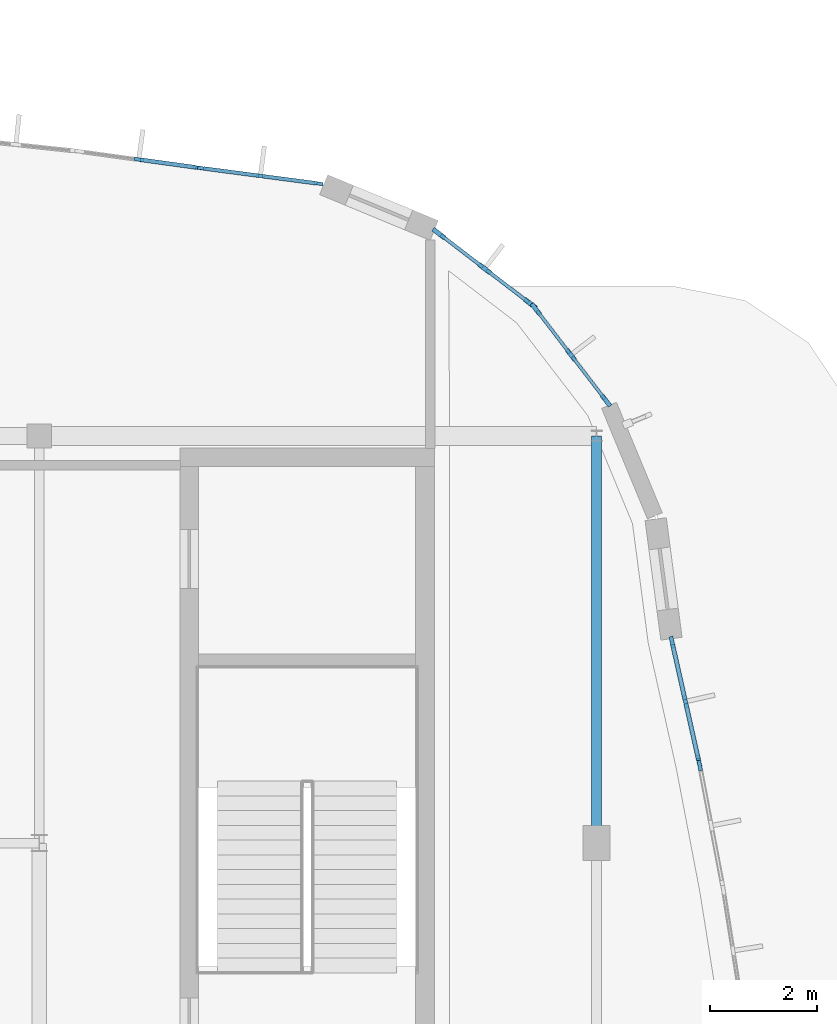
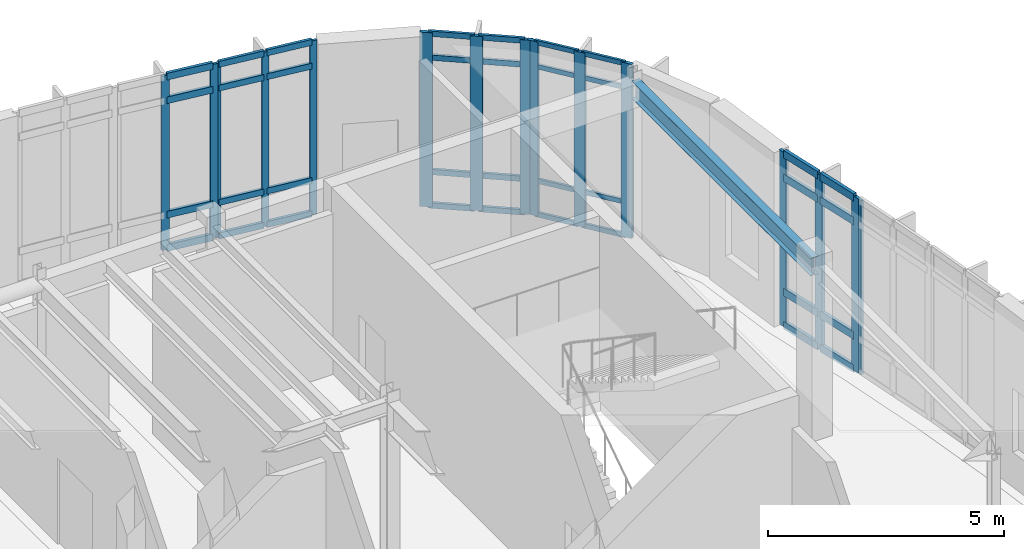
# One storey, part 64 of 120: 51 members, 1 beam, 6 elements without a shape of their own.
"""IFC4 building model written with IfcOpenShell, lengths in metres."""

from ifc_helpers import new_model, si_unit, direction, frame, origin, origin_2d, place, context, subcontext, project, spatial, rectangle, i_section, extrude, material, material_profile, profile_set, type_object, element, aggregate, save


model = new_model("IFC4")

# Units and contexts
model_context = context("Model", 3, precision=1e-05, world=origin(), true_north=direction((0.0, 1.0)))
body_context = subcontext(model_context, "Body", "Model", "MODEL_VIEW")
ifc_project = project(units=[si_unit("LENGTHUNIT", "METRE"), si_unit("AREAUNIT", "SQUARE_METRE"), si_unit("VOLUMEUNIT", "CUBIC_METRE"), si_unit("PLANEANGLEUNIT", "RADIAN"), si_unit("MASSUNIT", "GRAM", prefix="KILO")], contexts=[model_context])

# Site, building, storey
site_placement = place(None, origin())
site = spatial("IfcSite", under=ifc_project, at=site_placement, CompositionType="ELEMENT")
building_placement = place(site_placement, origin())
building = spatial("IfcBuilding", under=site, at=building_placement, Name="Corveleigh Park Community Centre", CompositionType="ELEMENT")
storey_placement = place(building_placement, origin())
storey = spatial("IfcBuildingStorey", under=building, at=storey_placement, Name="L00", CompositionType="ELEMENT", Elevation=0.0)

# Beam
ifc_material_1 = material(Name="Steel S355", Category="steel")
ifc_material_profile_1 = material_profile(ifc_material_1, i_section(OverallWidth=0.1904296875, OverallDepth=0.45703125, WebThickness=0.009033203125, FlangeThickness=0.014404296875, at=origin_2d()), Name="UKB 457x191x74", Category="steel")
ifc_profile_set_1 = profile_set([ifc_material_profile_1], Name="Steel S355")
beam_type = type_object("IfcBeamType", Name="BM-STL-UKB457x74", PredefinedType="BEAM", material=ifc_profile_set_1)
beam_placement = place(storey_placement, frame((168.39990234375, 96.60498046875, 4.298583984375), z_axis=(0.0, 1.0, 0.0), x_axis=(-1.0, 0.0, 0.0)))
element("IfcBeam", 1, at=beam_placement, inside=storey, type_object=beam_type, Name="V4 Girder Y", PredefinedType="BEAM", context=body_context, shape_type="SweptSolid", body=[
    extrude(i_section(OverallWidth=0.1904296875, OverallDepth=0.45703125, WebThickness=0.009033203125, FlangeThickness=0.014404296875, at=origin_2d()), origin(), (0.0, 0.0, 1.0), 7.590087890625),
])

# Curtain wall, members
ifc_material_2 = material(Name="Anodised aluminium 6063-T6", Category="aluminium")
curtain_wall_type = type_object("IfcCurtainWallType", Name="CW-SYS-V4-L00", PredefinedType="NOTDEFINED", material=ifc_material_2)
curtain_wall_1_placement = place(storey_placement, origin())
curtain_wall_1 = element("IfcCurtainWall", 2, at=curtain_wall_1_placement, inside=storey, type_object=curtain_wall_type, Name="V4 L00 Curtain Wall 133", PredefinedType="NOTDEFINED")
ifc_material_profile_2 = material_profile(ifc_material_2, rectangle(XDim=0.06005859375, YDim=0.159912109375, at=origin_2d()), Name="ALU-M60x160", Category="aluminium")
ifc_profile_set_2 = profile_set([ifc_material_profile_2], Name="Anodised aluminium 6063-T6")
member_type_1 = type_object("IfcMemberType", Name="CWM-60x160", PredefinedType="MULLION", material=ifc_profile_set_2)
member_1_placement = place(storey_placement, frame((161.03662109375, 109.195068359375, 0.0), z_axis=(0.0, 0.0, 1.0), x_axis=(0.130626325881, 0.991431673383, 0.0)))
member_1 = element("IfcMember", 3, at=member_1_placement, type_object=member_type_1, Name="CW07 mullion 1", PredefinedType="MULLION", context=body_context, shape_type="SweptSolid", body=[
    extrude(rectangle(XDim=0.06005859375, YDim=0.159912109375, at=origin_2d()), origin(), (0.0, 0.0, 1.0), 4.511962890625),
])
member_2_placement = place(storey_placement, frame((162.12646484375, 109.051513671875, 0.0), z_axis=(0.0, 0.0, 1.0), x_axis=(0.130626325881, 0.991431673383, 0.0)))
member_2 = element("IfcMember", 4, at=member_2_placement, type_object=member_type_1, Name="CW07 mullion 2", PredefinedType="MULLION", context=body_context, shape_type="SweptSolid", body=[
    extrude(rectangle(XDim=0.06005859375, YDim=0.159912109375, at=origin_2d()), origin(), (0.0, 0.0, 1.0), 4.511962890625),
])
member_3_placement = place(storey_placement, frame((163.21630859375, 108.907958984375, 0.0), z_axis=(0.0, 0.0, 1.0), x_axis=(0.130626325881, 0.991431673383, 0.0)))
member_3 = element("IfcMember", 5, at=member_3_placement, type_object=member_type_1, Name="CW07 mullion 3", PredefinedType="MULLION", context=body_context, shape_type="SweptSolid", body=[
    extrude(rectangle(XDim=0.06005859375, YDim=0.159912109375, at=origin_2d()), origin(), (0.0, 0.0, 1.0), 4.511962890625),
])

curtain_wall_2_placement = place(storey_placement, origin())
curtain_wall_2 = element("IfcCurtainWall", 6, at=curtain_wall_2_placement, inside=storey, type_object=curtain_wall_type, Name="V4 L00 Curtain Wall 134", PredefinedType="NOTDEFINED")
ifc_material_profile_3 = material_profile(ifc_material_2, rectangle(XDim=0.06494140625, YDim=0.179931640625, at=origin_2d()), Name="ALU-M65x180", Category="aluminium")
ifc_profile_set_3 = profile_set([ifc_material_profile_3], Name="Anodised aluminium 6063-T6")
member_type_2 = type_object("IfcMemberType", Name="CWM-65x180", PredefinedType="MULLION", material=ifc_profile_set_3)
member_4_placement = place(storey_placement, frame((159.857421875, 109.357421875, 0.0), z_axis=(0.0, 0.0, 1.0), x_axis=(0.136534069852, 0.990635375791, 0.0)))
member_4 = element("IfcMember", 7, at=member_4_placement, type_object=member_type_2, Name="CW07 mullion 2", PredefinedType="MULLION", context=body_context, shape_type="SweptSolid", body=[
    extrude(rectangle(XDim=0.06494140625, YDim=0.179931640625, at=origin_2d()), origin(), (0.0, 0.0, 1.0), 4.511962890625),
])
member_5_placement = place(storey_placement, frame((160.960693359375, 109.205322265625, 0.0), z_axis=(0.0, 0.0, 1.0), x_axis=(0.136534069852, 0.990635375791, 0.0)))
member_5 = element("IfcMember", 8, at=member_5_placement, type_object=member_type_2, Name="CW07 mullion 3", PredefinedType="MULLION", context=body_context, shape_type="SweptSolid", body=[
    extrude(rectangle(XDim=0.06494140625, YDim=0.179931640625, at=origin_2d()), origin(), (0.0, 0.0, 1.0), 4.511962890625),
])

# Curtain wall, member
curtain_wall_3_placement = place(storey_placement, origin())
curtain_wall_3 = element("IfcCurtainWall", 9, at=curtain_wall_3_placement, inside=storey, type_object=curtain_wall_type, Name="V4 L00 Curtain Wall 129", PredefinedType="NOTDEFINED")
ifc_material_profile_4 = material_profile(ifc_material_2, rectangle(XDim=0.070068359375, YDim=0.199951171875, at=origin_2d()), Name="ALU-M70x200", Category="aluminium")
ifc_profile_set_4 = profile_set([ifc_material_profile_4], Name="Anodised aluminium 6063-T6")
member_type_3 = type_object("IfcMemberType", Name="CWM-70x200", PredefinedType="MULLION", material=ifc_profile_set_4)
member_6_placement = place(storey_placement, frame((170.32666015625, 98.045654296875, 0.0), z_axis=(0.0, 0.0, 1.0), x_axis=(0.982323668519, 0.187190304951, 0.0)))
member_6 = element("IfcMember", 10, at=member_6_placement, type_object=member_type_3, Name="CW07 mullion 1", PredefinedType="MULLION", context=body_context, shape_type="SweptSolid", body=[
    extrude(rectangle(XDim=0.070068359375, YDim=0.199951171875, at=origin_2d()), origin(), (0.0, 0.0, 1.0), 4.511962890625),
])
aggregate(curtain_wall_3, [member_6])

# Curtain wall, members
curtain_wall_4_placement = place(storey_placement, origin())
curtain_wall_4 = element("IfcCurtainWall", 11, at=curtain_wall_4_placement, inside=storey, type_object=curtain_wall_type, Name="V4 L00 Curtain Wall 130", PredefinedType="NOTDEFINED")
ifc_material_profile_5 = material_profile(ifc_material_2, rectangle(XDim=0.074951171875, YDim=0.219970703125, at=origin_2d()), Name="ALU-M75x220", Category="aluminium")
ifc_profile_set_5 = profile_set([ifc_material_profile_5], Name="Anodised aluminium 6063-T6")
member_type_4 = type_object("IfcMemberType", Name="CWM-75x220", PredefinedType="MULLION", material=ifc_profile_set_5)
member_7_placement = place(storey_placement, frame((169.811279296875, 100.348388671875, 0.0), z_axis=(0.0, 0.0, 1.0), x_axis=(0.975753455878, 0.218872550452, 0.0)))
member_7 = element("IfcMember", 12, at=member_7_placement, type_object=member_type_4, Name="CW07 mullion 1", PredefinedType="MULLION", context=body_context, shape_type="SweptSolid", body=[
    extrude(rectangle(XDim=0.074951171875, YDim=0.219970703125, at=origin_2d()), origin(), (0.0, 0.0, 1.0), 4.511962890625),
])
member_8_placement = place(storey_placement, frame((170.0595703125, 99.241455078125, 0.0), z_axis=(0.0, 0.0, 1.0), x_axis=(0.975753455878, 0.218872550452, 0.0)))
member_8 = element("IfcMember", 13, at=member_8_placement, type_object=member_type_4, Name="CW07 mullion 2", PredefinedType="MULLION", context=body_context, shape_type="SweptSolid", body=[
    extrude(rectangle(XDim=0.074951171875, YDim=0.219970703125, at=origin_2d()), origin(), (0.0, 0.0, 1.0), 4.511962890625),
])
member_9_placement = place(storey_placement, frame((170.307861328125, 98.134521484375, 0.0), z_axis=(0.0, 0.0, 1.0), x_axis=(0.975753455878, 0.218872550452, 0.0)))
member_9 = element("IfcMember", 14, at=member_9_placement, type_object=member_type_4, Name="CW07 mullion 3", PredefinedType="MULLION", context=body_context, shape_type="SweptSolid", body=[
    extrude(rectangle(XDim=0.074951171875, YDim=0.219970703125, at=origin_2d()), origin(), (0.0, 0.0, 1.0), 4.511962890625),
])

curtain_wall_5_placement = place(storey_placement, origin())
curtain_wall_5 = element("IfcCurtainWall", 15, at=curtain_wall_5_placement, inside=storey, type_object=curtain_wall_type, Name="V4 L00 Curtain Wall 131", PredefinedType="NOTDEFINED")
ifc_material_profile_6 = material_profile(ifc_material_2, rectangle(XDim=0.080078125, YDim=0.25, at=origin_2d()), Name="ALU-M80x250", Category="aluminium")
ifc_profile_set_6 = profile_set([ifc_material_profile_6], Name="Anodised aluminium 6063-T6")
member_type_5 = type_object("IfcMemberType", Name="CWM-80x250", PredefinedType="MULLION", material=ifc_profile_set_6)
member_10_placement = place(storey_placement, frame((167.266357421875, 106.566162109375, 0.0), z_axis=(0.0, 0.0, 1.0), x_axis=(0.79345507523, 0.608628822511, 0.0)))
member_10 = element("IfcMember", 16, at=member_10_placement, type_object=member_type_5, Name="CW07 mullion 1", PredefinedType="MULLION", context=body_context, shape_type="SweptSolid", body=[
    extrude(rectangle(XDim=0.080078125, YDim=0.25, at=origin_2d()), origin(), (0.0, 0.0, 1.0), 4.511962890625),
])
member_11_placement = place(storey_placement, frame((167.922119140625, 105.71142578125, 0.0), z_axis=(0.0, 0.0, 1.0), x_axis=(0.79345507523, 0.608628822511, 0.0)))
member_11 = element("IfcMember", 17, at=member_11_placement, type_object=member_type_5, Name="CW07 mullion 2", PredefinedType="MULLION", context=body_context, shape_type="SweptSolid", body=[
    extrude(rectangle(XDim=0.080078125, YDim=0.25, at=origin_2d()), origin(), (0.0, 0.0, 1.0), 4.511962890625),
])
member_12_placement = place(storey_placement, frame((168.57763671875, 104.856689453125, 0.0), z_axis=(0.0, 0.0, 1.0), x_axis=(0.79345507523, 0.608628822511, 0.0)))
member_12 = element("IfcMember", 18, at=member_12_placement, type_object=member_type_5, Name="CW07 mullion 3", PredefinedType="MULLION", context=body_context, shape_type="SweptSolid", body=[
    extrude(rectangle(XDim=0.080078125, YDim=0.25, at=origin_2d()), origin(), (0.0, 0.0, 1.0), 4.511962890625),
])

curtain_wall_6_placement = place(storey_placement, origin())
curtain_wall_6 = element("IfcCurtainWall", 19, at=curtain_wall_6_placement, inside=storey, type_object=curtain_wall_type, Name="V4 L00 Curtain Wall 132", PredefinedType="NOTDEFINED")
ifc_material_profile_7 = material_profile(ifc_material_2, rectangle(XDim=0.0849609375, YDim=0.27490234375, at=origin_2d()), Name="ALU-M85x275", Category="aluminium")
ifc_profile_set_7 = profile_set([ifc_material_profile_7], Name="Anodised aluminium 6063-T6")
member_type_6 = type_object("IfcMemberType", Name="CWM-85x275", PredefinedType="MULLION", material=ifc_profile_set_7)
member_13_placement = place(storey_placement, frame((165.458740234375, 107.97607421875, 0.0), z_axis=(0.0, 0.0, 1.0), x_axis=(0.608628822511, 0.79345507523, 0.0)))
member_13 = element("IfcMember", 20, at=member_13_placement, type_object=member_type_6, Name="CW07 mullion 1", PredefinedType="MULLION", context=body_context, shape_type="SweptSolid", body=[
    extrude(rectangle(XDim=0.0849609375, YDim=0.27490234375, at=origin_2d()), origin(), (0.0, 0.0, 1.0), 4.511962890625),
])
member_14_placement = place(storey_placement, frame((166.3115234375, 107.322021484375, 0.0), z_axis=(0.0, 0.0, 1.0), x_axis=(0.608628822511, 0.79345507523, 0.0)))
member_14 = element("IfcMember", 21, at=member_14_placement, type_object=member_type_6, Name="CW07 mullion 2", PredefinedType="MULLION", context=body_context, shape_type="SweptSolid", body=[
    extrude(rectangle(XDim=0.0849609375, YDim=0.27490234375, at=origin_2d()), origin(), (0.0, 0.0, 1.0), 4.511962890625),
])
member_15_placement = place(storey_placement, frame((167.164306640625, 106.66796875, 0.0), z_axis=(0.0, 0.0, 1.0), x_axis=(0.608628822511, 0.79345507523, 0.0)))
member_15 = element("IfcMember", 22, at=member_15_placement, type_object=member_type_6, Name="CW07 mullion 3", PredefinedType="MULLION", context=body_context, shape_type="SweptSolid", body=[
    extrude(rectangle(XDim=0.0849609375, YDim=0.27490234375, at=origin_2d()), origin(), (0.0, 0.0, 1.0), 4.511962890625),
])

# Member
ifc_material_profile_8 = material_profile(ifc_material_2, rectangle(XDim=0.06005859375, YDim=0.1201171875, at=origin_2d()), Name="ALU-T60x120", Category="aluminium")
ifc_profile_set_8 = profile_set([ifc_material_profile_8], Name="Anodised aluminium 6063-T6")
member_type_7 = type_object("IfcMemberType", Name="CWT-60x120", PredefinedType="USERDEFINED", material=ifc_profile_set_8)
member_16_placement = place(storey_placement, frame((167.290771484375, 106.534423828125, 0.030029296875), z_axis=(0.608621694021, -0.79346054317, 0.0), x_axis=(0.79346054317, 0.608621694021, 0.0)))
member_16 = element("IfcMember", 23, at=member_16_placement, type_object=member_type_7, Name="CW07 transom 1.1", ObjectType="TRANSOM", PredefinedType="USERDEFINED", context=body_context, shape_type="SweptSolid", body=[
    extrude(rectangle(XDim=0.06005859375, YDim=0.1201171875, at=origin_2d()), origin(), (0.0, 0.0, 1.0), 0.997314453125),
])

member_17_placement = place(storey_placement, frame((167.290771484375, 106.534423828125, 0.89990234375), z_axis=(0.608621694021, -0.79346054317, 0.0), x_axis=(0.79346054317, 0.608621694021, 0.0)))
member_17 = element("IfcMember", 24, at=member_17_placement, type_object=member_type_7, Name="CW07 transom 1.2", ObjectType="TRANSOM", PredefinedType="USERDEFINED", context=body_context, shape_type="SweptSolid", body=[
    extrude(rectangle(XDim=0.06005859375, YDim=0.1201171875, at=origin_2d()), origin(), (0.0, 0.0, 1.0), 0.997314453125),
])

member_18_placement = place(storey_placement, frame((167.290771484375, 106.534423828125, 3.862060546875), z_axis=(0.608621694021, -0.79346054317, 0.0), x_axis=(0.79346054317, 0.608621694021, 0.0)))
member_18 = element("IfcMember", 25, at=member_18_placement, type_object=member_type_7, Name="CW07 transom 1.3", ObjectType="TRANSOM", PredefinedType="USERDEFINED", context=body_context, shape_type="SweptSolid", body=[
    extrude(rectangle(XDim=0.06005859375, YDim=0.1201171875, at=origin_2d()), origin(), (0.0, 0.0, 1.0), 0.997314453125),
])

member_19_placement = place(storey_placement, frame((167.290771484375, 106.534423828125, 4.48193359375), z_axis=(0.608621694021, -0.79346054317, 0.0), x_axis=(0.79346054317, 0.608621694021, 0.0)))
member_19 = element("IfcMember", 26, at=member_19_placement, type_object=member_type_7, Name="CW07 transom 1.4", ObjectType="TRANSOM", PredefinedType="USERDEFINED", context=body_context, shape_type="SweptSolid", body=[
    extrude(rectangle(XDim=0.06005859375, YDim=0.1201171875, at=origin_2d()), origin(), (0.0, 0.0, 1.0), 0.997314453125),
])

member_20_placement = place(storey_placement, frame((167.9462890625, 105.6796875, 0.030029296875), z_axis=(0.608621694021, -0.79346054317, 0.0), x_axis=(0.79346054317, 0.608621694021, 0.0)))
member_20 = element("IfcMember", 27, at=member_20_placement, type_object=member_type_7, Name="CW07 transom 2.1", ObjectType="TRANSOM", PredefinedType="USERDEFINED", context=body_context, shape_type="SweptSolid", body=[
    extrude(rectangle(XDim=0.06005859375, YDim=0.1201171875, at=origin_2d()), origin(), (0.0, 0.0, 1.0), 0.997314453125),
])

member_21_placement = place(storey_placement, frame((167.9462890625, 105.6796875, 0.89990234375), z_axis=(0.608621694021, -0.79346054317, 0.0), x_axis=(0.79346054317, 0.608621694021, 0.0)))
member_21 = element("IfcMember", 28, at=member_21_placement, type_object=member_type_7, Name="CW07 transom 2.2", ObjectType="TRANSOM", PredefinedType="USERDEFINED", context=body_context, shape_type="SweptSolid", body=[
    extrude(rectangle(XDim=0.06005859375, YDim=0.1201171875, at=origin_2d()), origin(), (0.0, 0.0, 1.0), 0.997314453125),
])

member_22_placement = place(storey_placement, frame((167.9462890625, 105.6796875, 3.862060546875), z_axis=(0.608621694021, -0.79346054317, 0.0), x_axis=(0.79346054317, 0.608621694021, 0.0)))
member_22 = element("IfcMember", 29, at=member_22_placement, type_object=member_type_7, Name="CW07 transom 2.3", ObjectType="TRANSOM", PredefinedType="USERDEFINED", context=body_context, shape_type="SweptSolid", body=[
    extrude(rectangle(XDim=0.06005859375, YDim=0.1201171875, at=origin_2d()), origin(), (0.0, 0.0, 1.0), 0.997314453125),
])

member_23_placement = place(storey_placement, frame((167.9462890625, 105.6796875, 4.48193359375), z_axis=(0.608621694021, -0.79346054317, 0.0), x_axis=(0.79346054317, 0.608621694021, 0.0)))
member_23 = element("IfcMember", 30, at=member_23_placement, type_object=member_type_7, Name="CW07 transom 2.4", ObjectType="TRANSOM", PredefinedType="USERDEFINED", context=body_context, shape_type="SweptSolid", body=[
    extrude(rectangle(XDim=0.06005859375, YDim=0.1201171875, at=origin_2d()), origin(), (0.0, 0.0, 1.0), 0.997314453125),
])

aggregate(curtain_wall_5, [member_10, member_11, member_12, member_16, member_17, member_18, member_19, member_20, member_21, member_22, member_23])

ifc_material_profile_9 = material_profile(ifc_material_2, rectangle(XDim=0.06494140625, YDim=0.139892578125, at=origin_2d()), Name="ALU-T65x140", Category="aluminium")
ifc_profile_set_9 = profile_set([ifc_material_profile_9], Name="Anodised aluminium 6063-T6")
member_type_8 = type_object("IfcMemberType", Name="CWT-65x140", PredefinedType="USERDEFINED", material=ifc_profile_set_9)
member_24_placement = place(storey_placement, frame((165.492431640625, 107.9501953125, 0.032470703125), z_axis=(0.793530922085, -0.608529929992, 0.0), x_axis=(0.608529929992, 0.793530922085, 0.0)))
member_24 = element("IfcMember", 31, at=member_24_placement, type_object=member_type_8, Name="CW07 transom 1.1", ObjectType="TRANSOM", PredefinedType="USERDEFINED", context=body_context, shape_type="SweptSolid", body=[
    extrude(rectangle(XDim=0.06494140625, YDim=0.139892578125, at=origin_2d()), origin(), (0.0, 0.0, 1.0), 0.98974609375),
])

member_25_placement = place(storey_placement, frame((165.492431640625, 107.9501953125, 0.89990234375), z_axis=(0.793530922085, -0.608529929992, 0.0), x_axis=(0.608529929992, 0.793530922085, 0.0)))
member_25 = element("IfcMember", 32, at=member_25_placement, type_object=member_type_8, Name="CW07 transom 1.2", ObjectType="TRANSOM", PredefinedType="USERDEFINED", context=body_context, shape_type="SweptSolid", body=[
    extrude(rectangle(XDim=0.06494140625, YDim=0.139892578125, at=origin_2d()), origin(), (0.0, 0.0, 1.0), 0.98974609375),
])

member_26_placement = place(storey_placement, frame((165.492431640625, 107.9501953125, 3.862060546875), z_axis=(0.793530922085, -0.608529929992, 0.0), x_axis=(0.608529929992, 0.793530922085, 0.0)))
member_26 = element("IfcMember", 33, at=member_26_placement, type_object=member_type_8, Name="CW07 transom 1.3", ObjectType="TRANSOM", PredefinedType="USERDEFINED", context=body_context, shape_type="SweptSolid", body=[
    extrude(rectangle(XDim=0.06494140625, YDim=0.139892578125, at=origin_2d()), origin(), (0.0, 0.0, 1.0), 0.98974609375),
])

member_27_placement = place(storey_placement, frame((165.492431640625, 107.9501953125, 4.4794921875), z_axis=(0.793530922085, -0.608529929992, 0.0), x_axis=(0.608529929992, 0.793530922085, 0.0)))
member_27 = element("IfcMember", 34, at=member_27_placement, type_object=member_type_8, Name="CW07 transom 1.4", ObjectType="TRANSOM", PredefinedType="USERDEFINED", context=body_context, shape_type="SweptSolid", body=[
    extrude(rectangle(XDim=0.06494140625, YDim=0.139892578125, at=origin_2d()), origin(), (0.0, 0.0, 1.0), 0.98974609375),
])

member_28_placement = place(storey_placement, frame((166.34521484375, 107.296142578125, 0.032470703125), z_axis=(0.793530922085, -0.608529929992, 0.0), x_axis=(0.608529929992, 0.793530922085, 0.0)))
member_28 = element("IfcMember", 35, at=member_28_placement, type_object=member_type_8, Name="CW07 transom 2.1", ObjectType="TRANSOM", PredefinedType="USERDEFINED", context=body_context, shape_type="SweptSolid", body=[
    extrude(rectangle(XDim=0.06494140625, YDim=0.139892578125, at=origin_2d()), origin(), (0.0, 0.0, 1.0), 0.98974609375),
])

member_29_placement = place(storey_placement, frame((166.34521484375, 107.296142578125, 0.89990234375), z_axis=(0.793530922085, -0.608529929992, 0.0), x_axis=(0.608529929992, 0.793530922085, 0.0)))
member_29 = element("IfcMember", 36, at=member_29_placement, type_object=member_type_8, Name="CW07 transom 2.2", ObjectType="TRANSOM", PredefinedType="USERDEFINED", context=body_context, shape_type="SweptSolid", body=[
    extrude(rectangle(XDim=0.06494140625, YDim=0.139892578125, at=origin_2d()), origin(), (0.0, 0.0, 1.0), 0.98974609375),
])

member_30_placement = place(storey_placement, frame((166.34521484375, 107.296142578125, 3.862060546875), z_axis=(0.793530922085, -0.608529929992, 0.0), x_axis=(0.608529929992, 0.793530922085, 0.0)))
member_30 = element("IfcMember", 37, at=member_30_placement, type_object=member_type_8, Name="CW07 transom 2.3", ObjectType="TRANSOM", PredefinedType="USERDEFINED", context=body_context, shape_type="SweptSolid", body=[
    extrude(rectangle(XDim=0.06494140625, YDim=0.139892578125, at=origin_2d()), origin(), (0.0, 0.0, 1.0), 0.98974609375),
])

member_31_placement = place(storey_placement, frame((166.34521484375, 107.296142578125, 4.4794921875), z_axis=(0.793530922085, -0.608529929992, 0.0), x_axis=(0.608529929992, 0.793530922085, 0.0)))
member_31 = element("IfcMember", 38, at=member_31_placement, type_object=member_type_8, Name="CW07 transom 2.4", ObjectType="TRANSOM", PredefinedType="USERDEFINED", context=body_context, shape_type="SweptSolid", body=[
    extrude(rectangle(XDim=0.06494140625, YDim=0.139892578125, at=origin_2d()), origin(), (0.0, 0.0, 1.0), 0.98974609375),
])

aggregate(curtain_wall_6, [member_13, member_14, member_15, member_24, member_25, member_26, member_27, member_28, member_29, member_30, member_31])

ifc_material_profile_10 = material_profile(ifc_material_2, rectangle(XDim=0.070068359375, YDim=0.155029296875, at=origin_2d()), Name="ALU-T70x155", Category="aluminium")
ifc_profile_set_10 = profile_set([ifc_material_profile_10], Name="Anodised aluminium 6063-T6")
member_type_9 = type_object("IfcMemberType", Name="CWT-70x155", PredefinedType="USERDEFINED", material=ifc_profile_set_10)
member_32_placement = place(storey_placement, frame((161.06640625, 109.191162109375, 0.034912109375), z_axis=(0.991431890807, -0.130624675661, 0.0), x_axis=(0.130624675661, 0.991431890807, 0.0)))
member_32 = element("IfcMember", 39, at=member_32_placement, type_object=member_type_9, Name="CW07 transom 1.1", ObjectType="TRANSOM", PredefinedType="USERDEFINED", context=body_context, shape_type="SweptSolid", body=[
    extrude(rectangle(XDim=0.070068359375, YDim=0.155029296875, at=origin_2d()), origin(), (0.0, 0.0, 1.0), 1.0390625),
])

member_33_placement = place(storey_placement, frame((161.06640625, 109.191162109375, 0.89990234375), z_axis=(0.991431890807, -0.130624675661, 0.0), x_axis=(0.130624675661, 0.991431890807, 0.0)))
member_33 = element("IfcMember", 40, at=member_33_placement, type_object=member_type_9, Name="CW07 transom 1.2", ObjectType="TRANSOM", PredefinedType="USERDEFINED", context=body_context, shape_type="SweptSolid", body=[
    extrude(rectangle(XDim=0.070068359375, YDim=0.155029296875, at=origin_2d()), origin(), (0.0, 0.0, 1.0), 1.0390625),
])

member_34_placement = place(storey_placement, frame((161.06640625, 109.191162109375, 3.862060546875), z_axis=(0.991431890807, -0.130624675661, 0.0), x_axis=(0.130624675661, 0.991431890807, 0.0)))
member_34 = element("IfcMember", 41, at=member_34_placement, type_object=member_type_9, Name="CW07 transom 1.3", ObjectType="TRANSOM", PredefinedType="USERDEFINED", context=body_context, shape_type="SweptSolid", body=[
    extrude(rectangle(XDim=0.070068359375, YDim=0.155029296875, at=origin_2d()), origin(), (0.0, 0.0, 1.0), 1.0390625),
])

member_35_placement = place(storey_placement, frame((161.06640625, 109.191162109375, 4.47705078125), z_axis=(0.991431890807, -0.130624675661, 0.0), x_axis=(0.130624675661, 0.991431890807, 0.0)))
member_35 = element("IfcMember", 42, at=member_35_placement, type_object=member_type_9, Name="CW07 transom 1.4", ObjectType="TRANSOM", PredefinedType="USERDEFINED", context=body_context, shape_type="SweptSolid", body=[
    extrude(rectangle(XDim=0.070068359375, YDim=0.155029296875, at=origin_2d()), origin(), (0.0, 0.0, 1.0), 1.0390625),
])

member_36_placement = place(storey_placement, frame((162.15625, 109.047607421875, 0.034912109375), z_axis=(0.991431890807, -0.130624675661, 0.0), x_axis=(0.130624675661, 0.991431890807, 0.0)))
member_36 = element("IfcMember", 43, at=member_36_placement, type_object=member_type_9, Name="CW07 transom 2.1", ObjectType="TRANSOM", PredefinedType="USERDEFINED", context=body_context, shape_type="SweptSolid", body=[
    extrude(rectangle(XDim=0.070068359375, YDim=0.155029296875, at=origin_2d()), origin(), (0.0, 0.0, 1.0), 1.0390625),
])

member_37_placement = place(storey_placement, frame((162.15625, 109.047607421875, 0.89990234375), z_axis=(0.991431890807, -0.130624675661, 0.0), x_axis=(0.130624675661, 0.991431890807, 0.0)))
member_37 = element("IfcMember", 44, at=member_37_placement, type_object=member_type_9, Name="CW07 transom 2.2", ObjectType="TRANSOM", PredefinedType="USERDEFINED", context=body_context, shape_type="SweptSolid", body=[
    extrude(rectangle(XDim=0.070068359375, YDim=0.155029296875, at=origin_2d()), origin(), (0.0, 0.0, 1.0), 1.0390625),
])

member_38_placement = place(storey_placement, frame((162.15625, 109.047607421875, 3.862060546875), z_axis=(0.991431890807, -0.130624675661, 0.0), x_axis=(0.130624675661, 0.991431890807, 0.0)))
member_38 = element("IfcMember", 45, at=member_38_placement, type_object=member_type_9, Name="CW07 transom 2.3", ObjectType="TRANSOM", PredefinedType="USERDEFINED", context=body_context, shape_type="SweptSolid", body=[
    extrude(rectangle(XDim=0.070068359375, YDim=0.155029296875, at=origin_2d()), origin(), (0.0, 0.0, 1.0), 1.0390625),
])

member_39_placement = place(storey_placement, frame((162.15625, 109.047607421875, 4.47705078125), z_axis=(0.991431890807, -0.130624675661, 0.0), x_axis=(0.130624675661, 0.991431890807, 0.0)))
member_39 = element("IfcMember", 46, at=member_39_placement, type_object=member_type_9, Name="CW07 transom 2.4", ObjectType="TRANSOM", PredefinedType="USERDEFINED", context=body_context, shape_type="SweptSolid", body=[
    extrude(rectangle(XDim=0.070068359375, YDim=0.155029296875, at=origin_2d()), origin(), (0.0, 0.0, 1.0), 1.0390625),
])

aggregate(curtain_wall_1, [member_1, member_2, member_3, member_32, member_33, member_34, member_35, member_36, member_37, member_38, member_39])

ifc_material_profile_11 = material_profile(ifc_material_2, rectangle(XDim=0.074951171875, YDim=0.175048828125, at=origin_2d()), Name="ALU-T75x175", Category="aluminium")
ifc_profile_set_11 = profile_set([ifc_material_profile_11], Name="Anodised aluminium 6063-T6")
member_type_10 = type_object("IfcMemberType", Name="CWT-75x175", PredefinedType="USERDEFINED", material=ifc_profile_set_11)
member_40_placement = place(storey_placement, frame((159.8896484375, 109.35302734375, 0.03759765625), z_axis=(0.990653693786, -0.136401095996, 0.0), x_axis=(0.136401095996, 0.990653693786, 0.0)))
member_40 = element("IfcMember", 47, at=member_40_placement, type_object=member_type_10, Name="CW07 transom 2.1", ObjectType="TRANSOM", PredefinedType="USERDEFINED", context=body_context, shape_type="SweptSolid", body=[
    extrude(rectangle(XDim=0.074951171875, YDim=0.175048828125, at=origin_2d()), origin(), (0.0, 0.0, 1.0), 1.048828125),
])

member_41_placement = place(storey_placement, frame((159.8896484375, 109.35302734375, 0.89990234375), z_axis=(0.990653693786, -0.136401095996, 0.0), x_axis=(0.136401095996, 0.990653693786, 0.0)))
member_41 = element("IfcMember", 48, at=member_41_placement, type_object=member_type_10, Name="CW07 transom 2.2", ObjectType="TRANSOM", PredefinedType="USERDEFINED", context=body_context, shape_type="SweptSolid", body=[
    extrude(rectangle(XDim=0.074951171875, YDim=0.175048828125, at=origin_2d()), origin(), (0.0, 0.0, 1.0), 1.048828125),
])

member_42_placement = place(storey_placement, frame((159.8896484375, 109.35302734375, 3.862060546875), z_axis=(0.990653693786, -0.136401095996, 0.0), x_axis=(0.136401095996, 0.990653693786, 0.0)))
member_42 = element("IfcMember", 49, at=member_42_placement, type_object=member_type_10, Name="CW07 transom 2.3", ObjectType="TRANSOM", PredefinedType="USERDEFINED", context=body_context, shape_type="SweptSolid", body=[
    extrude(rectangle(XDim=0.074951171875, YDim=0.175048828125, at=origin_2d()), origin(), (0.0, 0.0, 1.0), 1.048828125),
])

member_43_placement = place(storey_placement, frame((159.8896484375, 109.35302734375, 4.474609375), z_axis=(0.990653693786, -0.136401095996, 0.0), x_axis=(0.136401095996, 0.990653693786, 0.0)))
member_43 = element("IfcMember", 50, at=member_43_placement, type_object=member_type_10, Name="CW07 transom 2.4", ObjectType="TRANSOM", PredefinedType="USERDEFINED", context=body_context, shape_type="SweptSolid", body=[
    extrude(rectangle(XDim=0.074951171875, YDim=0.175048828125, at=origin_2d()), origin(), (0.0, 0.0, 1.0), 1.048828125),
])

aggregate(curtain_wall_2, [member_4, member_5, member_40, member_41, member_42, member_43])

ifc_material_profile_12 = material_profile(ifc_material_2, rectangle(XDim=0.080078125, YDim=0.195068359375, at=origin_2d()), Name="ALU-T80x195", Category="aluminium")
ifc_profile_set_12 = profile_set([ifc_material_profile_12], Name="Anodised aluminium 6063-T6")
member_type_11 = type_object("IfcMemberType", Name="CWT-80x195", PredefinedType="USERDEFINED", material=ifc_profile_set_12)
member_44_placement = place(storey_placement, frame((169.8193359375, 100.311767578125, 0.0400390625), z_axis=(0.218930881269, -0.975740369784, 0.0), x_axis=(0.975740369784, 0.218930881269, 0.0)))
member_44 = element("IfcMember", 51, at=member_44_placement, type_object=member_type_11, Name="CW07 transom 1.1", ObjectType="TRANSOM", PredefinedType="USERDEFINED", context=body_context, shape_type="SweptSolid", body=[
    extrude(rectangle(XDim=0.080078125, YDim=0.195068359375, at=origin_2d()), origin(), (0.0, 0.0, 1.0), 1.059326171875),
])

member_45_placement = place(storey_placement, frame((169.8193359375, 100.311767578125, 0.89990234375), z_axis=(0.218930881269, -0.975740369784, 0.0), x_axis=(0.975740369784, 0.218930881269, 0.0)))
member_45 = element("IfcMember", 52, at=member_45_placement, type_object=member_type_11, Name="CW07 transom 1.2", ObjectType="TRANSOM", PredefinedType="USERDEFINED", context=body_context, shape_type="SweptSolid", body=[
    extrude(rectangle(XDim=0.080078125, YDim=0.195068359375, at=origin_2d()), origin(), (0.0, 0.0, 1.0), 1.059326171875),
])

member_46_placement = place(storey_placement, frame((169.8193359375, 100.311767578125, 3.862060546875), z_axis=(0.218930881269, -0.975740369784, 0.0), x_axis=(0.975740369784, 0.218930881269, 0.0)))
member_46 = element("IfcMember", 53, at=member_46_placement, type_object=member_type_11, Name="CW07 transom 1.3", ObjectType="TRANSOM", PredefinedType="USERDEFINED", context=body_context, shape_type="SweptSolid", body=[
    extrude(rectangle(XDim=0.080078125, YDim=0.195068359375, at=origin_2d()), origin(), (0.0, 0.0, 1.0), 1.059326171875),
])

member_47_placement = place(storey_placement, frame((169.8193359375, 100.311767578125, 4.471923828125), z_axis=(0.218930881269, -0.975740369784, 0.0), x_axis=(0.975740369784, 0.218930881269, 0.0)))
member_47 = element("IfcMember", 54, at=member_47_placement, type_object=member_type_11, Name="CW07 transom 1.4", ObjectType="TRANSOM", PredefinedType="USERDEFINED", context=body_context, shape_type="SweptSolid", body=[
    extrude(rectangle(XDim=0.080078125, YDim=0.195068359375, at=origin_2d()), origin(), (0.0, 0.0, 1.0), 1.059326171875),
])

member_48_placement = place(storey_placement, frame((170.067626953125, 99.204833984375, 0.0400390625), z_axis=(0.218930881269, -0.975740369784, 0.0), x_axis=(0.975740369784, 0.218930881269, 0.0)))
member_48 = element("IfcMember", 55, at=member_48_placement, type_object=member_type_11, Name="CW07 transom 2.1", ObjectType="TRANSOM", PredefinedType="USERDEFINED", context=body_context, shape_type="SweptSolid", body=[
    extrude(rectangle(XDim=0.080078125, YDim=0.195068359375, at=origin_2d()), origin(), (0.0, 0.0, 1.0), 1.059326171875),
])

member_49_placement = place(storey_placement, frame((170.067626953125, 99.204833984375, 0.89990234375), z_axis=(0.218930881269, -0.975740369784, 0.0), x_axis=(0.975740369784, 0.218930881269, 0.0)))
member_49 = element("IfcMember", 56, at=member_49_placement, type_object=member_type_11, Name="CW07 transom 2.2", ObjectType="TRANSOM", PredefinedType="USERDEFINED", context=body_context, shape_type="SweptSolid", body=[
    extrude(rectangle(XDim=0.080078125, YDim=0.195068359375, at=origin_2d()), origin(), (0.0, 0.0, 1.0), 1.059326171875),
])

member_50_placement = place(storey_placement, frame((170.067626953125, 99.204833984375, 3.862060546875), z_axis=(0.218930881269, -0.975740369784, 0.0), x_axis=(0.975740369784, 0.218930881269, 0.0)))
member_50 = element("IfcMember", 57, at=member_50_placement, type_object=member_type_11, Name="CW07 transom 2.3", ObjectType="TRANSOM", PredefinedType="USERDEFINED", context=body_context, shape_type="SweptSolid", body=[
    extrude(rectangle(XDim=0.080078125, YDim=0.195068359375, at=origin_2d()), origin(), (0.0, 0.0, 1.0), 1.059326171875),
])

member_51_placement = place(storey_placement, frame((170.067626953125, 99.204833984375, 4.471923828125), z_axis=(0.218930881269, -0.975740369784, 0.0), x_axis=(0.975740369784, 0.218930881269, 0.0)))
member_51 = element("IfcMember", 58, at=member_51_placement, type_object=member_type_11, Name="CW07 transom 2.4", ObjectType="TRANSOM", PredefinedType="USERDEFINED", context=body_context, shape_type="SweptSolid", body=[
    extrude(rectangle(XDim=0.080078125, YDim=0.195068359375, at=origin_2d()), origin(), (0.0, 0.0, 1.0), 1.059326171875),
])

aggregate(curtain_wall_4, [member_7, member_8, member_9, member_44, member_45, member_46, member_47, member_48, member_49, member_50, member_51])

save(model, "model.ifc")
